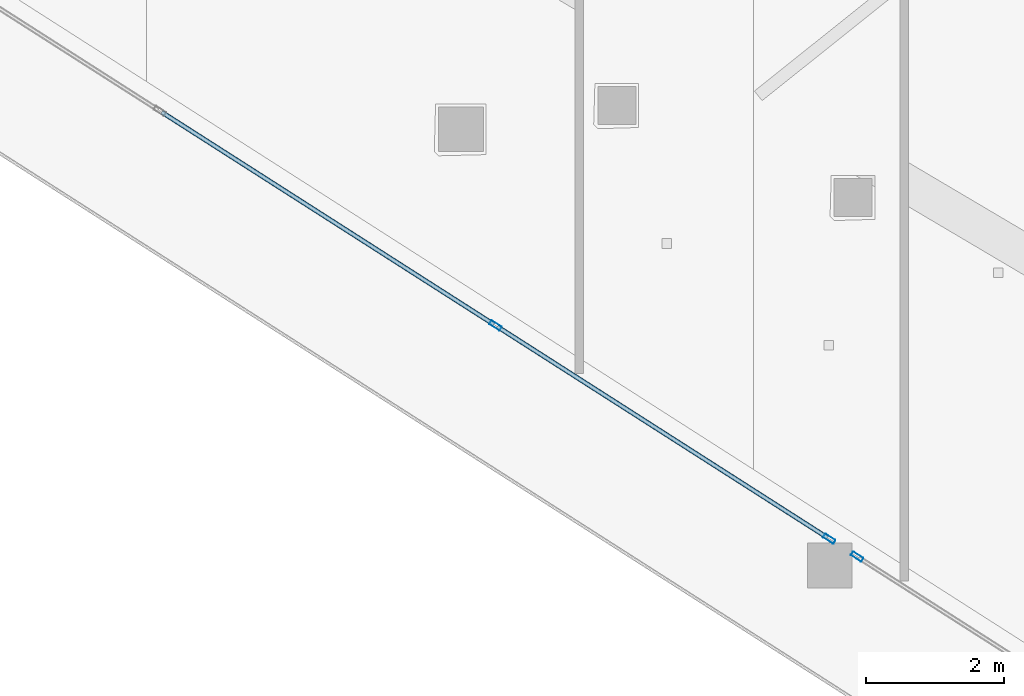
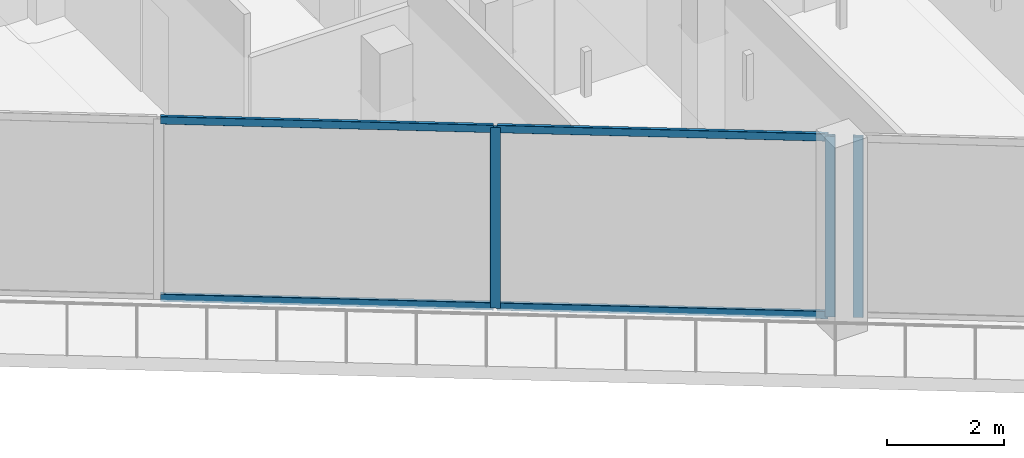
# One storey, part 4 of 37: 7 members, 2 elements without a shape of their own.
"""IFC4 building model written with IfcOpenShell, lengths in metres."""

from ifc_helpers import new_model, si_unit, direction, frame, origin, origin_2d, place, context, subcontext, project, spatial, hollow_rectangle, extrude, material, layer, layer_set, material_profile, profile_set, type_object, element, aggregate, save


model = new_model("IFC4")

# Units and contexts
model_context = context("Model", 3, precision=1e-05, world=origin(), true_north=direction((0.0, 1.0)))
body_context = subcontext(model_context, "Body", "Model", "MODEL_VIEW")
ifc_project = project(units=[si_unit("LENGTHUNIT", "METRE"), si_unit("AREAUNIT", "SQUARE_METRE"), si_unit("VOLUMEUNIT", "CUBIC_METRE"), si_unit("PLANEANGLEUNIT", "RADIAN"), si_unit("MASSUNIT", "GRAM", prefix="KILO")], contexts=[model_context])

# Site, building, storey
site_placement = place(None, origin())
site = spatial("IfcSite", under=ifc_project, at=site_placement, CompositionType="ELEMENT")
building_placement = place(site_placement, origin())
building = spatial("IfcBuilding", under=site, at=building_placement, Name="Qorvath Tower", CompositionType="ELEMENT")
storey_placement = place(building_placement, frame((0.0, 0.0, 188.85009765625)))
storey = spatial("IfcBuildingStorey", under=building, at=storey_placement, Name="L43", CompositionType="ELEMENT", Elevation=188.85009765625)

# Curtain wall, members
ifc_material_1 = material(Name="Anodised aluminium and triple low-E glass", Category="aluminium")
ifc_layer = layer(ifc_material_1, 0.179931640625)
ifc_layer_set = layer_set([ifc_layer], Name="CW-SYS-3")
curtain_wall_type = type_object("IfcCurtainWallType", Name="CW-SYS-3", PredefinedType="NOTDEFINED", material=ifc_layer_set)
curtain_wall_1_placement = place(storey_placement, origin())
curtain_wall_1 = element("IfcCurtainWall", 1, at=curtain_wall_1_placement, inside=storey, type_object=curtain_wall_type, Name="Curtain Wall CW-3 CW-T-L43-2.1", PredefinedType="NOTDEFINED")
ifc_material_2 = material(Name="Anodised aluminium 6063-T6", Category="aluminium")
ifc_material_profile_1 = material_profile(ifc_material_2, hollow_rectangle(XDim=0.06494140625, YDim=0.179931640625, WallThickness=0.00341796875, InnerFilletRadius=0.00341796875, OuterFilletRadius=0.007080078125, at=origin_2d()), Name="CWM 180x65")
ifc_profile_set_1 = profile_set([ifc_material_profile_1], Name="Anodised aluminium 6063-T6")
member_type_1 = type_object("IfcMemberType", Name="CWM-180", PredefinedType="MULLION", material=ifc_profile_set_1)
member_1_placement = place(storey_placement, frame((-35.86279296875, -15.980224609375, 0.0), z_axis=(0.0, 0.0, 1.0), x_axis=(0.53852951489, 0.842606647014, 0.0)))
member_1 = element("IfcMember", 2, at=member_1_placement, type_object=member_type_1, Name="CW-3 mullion 5", PredefinedType="MULLION", context=body_context, shape_type="SweptSolid", body=[
    extrude(hollow_rectangle(XDim=0.06494140625, YDim=0.179931640625, WallThickness=0.00341796875, InnerFilletRadius=0.00341796875, OuterFilletRadius=0.007080078125, at=origin_2d()), origin(), (0.0, 0.0, 1.0), 3.77978515625),
])
member_2_placement = place(storey_placement, frame((-31.02392578125, -19.07275390625, 0.0), z_axis=(0.0, 0.0, 1.0), x_axis=(0.53852951489, 0.842606647014, 0.0)))
member_2 = element("IfcMember", 3, at=member_2_placement, type_object=member_type_1, Name="CW-3 mullion 6", PredefinedType="MULLION", context=body_context, shape_type="SweptSolid", body=[
    extrude(hollow_rectangle(XDim=0.06494140625, YDim=0.179931640625, WallThickness=0.00341796875, InnerFilletRadius=0.00341796875, OuterFilletRadius=0.007080078125, at=origin_2d()), origin(), (0.0, 0.0, 1.0), 3.77978515625),
])

# Curtain wall, member
curtain_wall_2_placement = place(storey_placement, origin())
curtain_wall_2 = element("IfcCurtainWall", 4, at=curtain_wall_2_placement, inside=storey, type_object=curtain_wall_type, Name="Curtain Wall CW-3 CW-T-L43-2.2", PredefinedType="NOTDEFINED")
member_3_placement = place(storey_placement, frame((-30.61865234375, -19.33203125, 0.0), z_axis=(0.0, 0.0, 1.0), x_axis=(0.538531234683, 0.842605547852, 0.0)))
member_3 = element("IfcMember", 5, at=member_3_placement, type_object=member_type_1, Name="CW-3 mullion 1", PredefinedType="MULLION", context=body_context, shape_type="SweptSolid", body=[
    extrude(hollow_rectangle(XDim=0.06494140625, YDim=0.179931640625, WallThickness=0.00341796875, InnerFilletRadius=0.00341796875, OuterFilletRadius=0.007080078125, at=origin_2d()), origin(), (0.0, 0.0, 1.0), 3.77978515625),
])
aggregate(curtain_wall_2, [member_3])

# Member
ifc_material_3 = material(Name="Anodised aluminium 6063-T6", Category="aluminium")
ifc_material_profile_2 = material_profile(ifc_material_3, hollow_rectangle(XDim=0.06494140625, YDim=0.159912109375, WallThickness=0.00341796875, InnerFilletRadius=0.00341796875, OuterFilletRadius=0.007080078125, at=origin_2d()), Name="CWT 160x65")
ifc_profile_set_2 = profile_set([ifc_material_profile_2], Name="Anodised aluminium 6063-T6")
member_type_2 = type_object("IfcMemberType", Name="CWT-160", PredefinedType="USERDEFINED", material=ifc_profile_set_2)
member_4_placement = place(storey_placement, frame((-40.70166015625, -12.887451171875, 0.032470703125), z_axis=(0.84260356986, -0.538534329509, 0.0), x_axis=(0.538534329509, 0.84260356986, 0.0)))
member_4 = element("IfcMember", 6, at=member_4_placement, type_object=member_type_2, Name="CW-3 transom 4.1", ObjectType="TRANSOM", PredefinedType="USERDEFINED", context=body_context, shape_type="SweptSolid", body=[
    extrude(hollow_rectangle(XDim=0.06494140625, YDim=0.159912109375, WallThickness=0.00341796875, InnerFilletRadius=0.00341796875, OuterFilletRadius=0.007080078125, at=origin_2d()), origin(), (0.0, 0.0, 1.0), 5.710205078125),
])

member_5_placement = place(storey_placement, frame((-40.70166015625, -12.887451171875, 3.747314453125), z_axis=(0.84260356986, -0.538534329509, 0.0), x_axis=(0.538534329509, 0.84260356986, 0.0)))
member_5 = element("IfcMember", 7, at=member_5_placement, type_object=member_type_2, Name="CW-3 transom 4.2", ObjectType="TRANSOM", PredefinedType="USERDEFINED", context=body_context, shape_type="SweptSolid", body=[
    extrude(hollow_rectangle(XDim=0.06494140625, YDim=0.159912109375, WallThickness=0.00341796875, InnerFilletRadius=0.00341796875, OuterFilletRadius=0.007080078125, at=origin_2d()), origin(), (0.0, 0.0, 1.0), 5.710205078125),
])

member_6_placement = place(storey_placement, frame((-35.83544921875, -15.99755859375, 0.032470703125), z_axis=(0.84261171188, -0.538521590099, 0.0), x_axis=(0.538521590099, 0.84261171188, 0.0)))
member_6 = element("IfcMember", 8, at=member_6_placement, type_object=member_type_2, Name="CW-3 transom 5.1", ObjectType="TRANSOM", PredefinedType="USERDEFINED", context=body_context, shape_type="SweptSolid", body=[
    extrude(hollow_rectangle(XDim=0.06494140625, YDim=0.159912109375, WallThickness=0.00341796875, InnerFilletRadius=0.00341796875, OuterFilletRadius=0.007080078125, at=origin_2d()), origin(), (0.0, 0.0, 1.0), 5.677734375),
])

member_7_placement = place(storey_placement, frame((-35.83544921875, -15.99755859375, 3.747314453125), z_axis=(0.84261171188, -0.538521590099, 0.0), x_axis=(0.538521590099, 0.84261171188, 0.0)))
member_7 = element("IfcMember", 9, at=member_7_placement, type_object=member_type_2, Name="CW-3 transom 5.2", ObjectType="TRANSOM", PredefinedType="USERDEFINED", context=body_context, shape_type="SweptSolid", body=[
    extrude(hollow_rectangle(XDim=0.06494140625, YDim=0.159912109375, WallThickness=0.00341796875, InnerFilletRadius=0.00341796875, OuterFilletRadius=0.007080078125, at=origin_2d()), origin(), (0.0, 0.0, 1.0), 5.677734375),
])

aggregate(curtain_wall_1, [member_1, member_2, member_4, member_5, member_6, member_7])

save(model, "model.ifc")
